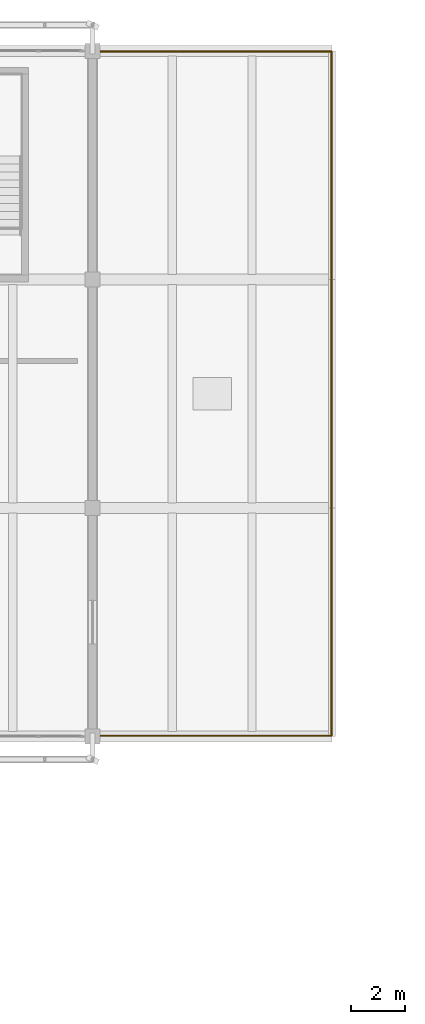
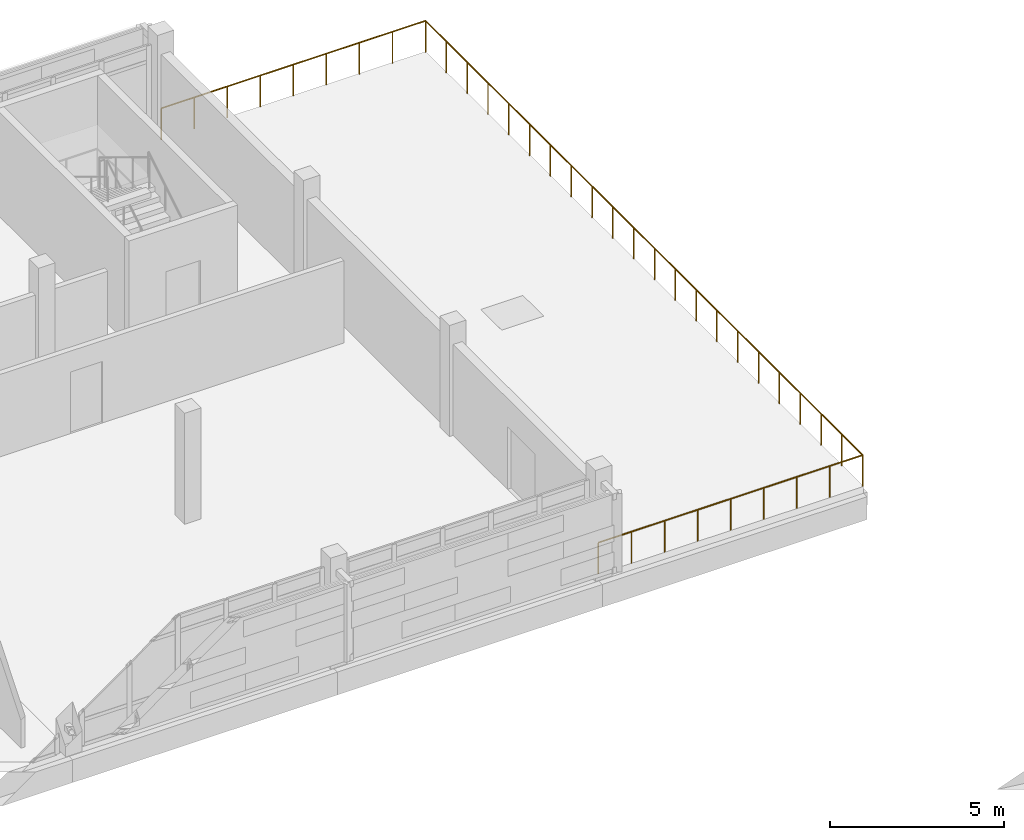
# One storey, part 117 of 117: 3 railings.
"""IFC4 building model written with IfcOpenShell, lengths in metres."""

from ifc_helpers import new_model, si_unit, direction, frame, origin, origin_2d, place, context, subcontext, project, spatial, circle, extrude, material, type_object, element, save


model = new_model("IFC4")

# Units and contexts
model_context = context("Model", 3, precision=1e-05, world=origin(), true_north=direction((0.0, 1.0)))
body_context = subcontext(model_context, "Body", "Model", "MODEL_VIEW")
ifc_project = project(units=[si_unit("LENGTHUNIT", "METRE"), si_unit("AREAUNIT", "SQUARE_METRE"), si_unit("VOLUMEUNIT", "CUBIC_METRE"), si_unit("PLANEANGLEUNIT", "RADIAN"), si_unit("MASSUNIT", "GRAM", prefix="KILO")], contexts=[model_context])

# Site, building, storey
site_placement = place(None, origin())
site = spatial("IfcSite", under=ifc_project, at=site_placement, CompositionType="ELEMENT")
building_placement = place(site_placement, origin())
building = spatial("IfcBuilding", under=site, at=building_placement, Name="Cinderway Yard Community Centre", CompositionType="ELEMENT")
storey_placement = place(building_placement, frame((0.0, 0.0, 9.0)))
storey = spatial("IfcBuildingStorey", under=building, at=storey_placement, Name="L02", CompositionType="ELEMENT", Elevation=9.0)

# Railings
ifc_material = material(Name="Painted Galvanised Steel", Category="steel")
railing_type = type_object("IfcRailingType", Name="INT-RAL-GRD112", PredefinedType="GUARDRAIL", material=ifc_material)
railing_1_placement = place(storey_placement, frame((136.800048828125, 90.02001953125, 0.0)))
element("IfcRailing", 1, at=railing_1_placement, inside=storey, type_object=railing_type, Name="V4 L02 East Terrace Guard 032", PredefinedType="GUARDRAIL", context=body_context, shape_type="SweptSolid", body=[
    extrude(circle(Radius=0.02392578125, at=origin_2d()), frame((0.0, 0.0, 1.09619140625), z_axis=(1.0, 0.0, 0.0), x_axis=(0.0, 1.0, 0.0)), (0.0, 0.0, 1.0), 8.780029296875),
    extrude(circle(Radius=0.02099609375, at=origin_2d()), origin(), (0.0, 0.0, 1.0), 1.072021484375),
    extrude(circle(Radius=0.02099609375, at=origin_2d()), frame((1.097412109375, 0.0, 0.0)), (0.0, 0.0, 1.0), 1.072021484375),
    extrude(circle(Radius=0.02099609375, at=origin_2d()), frame((2.195068359375, 0.0, 0.0)), (0.0, 0.0, 1.0), 1.072021484375),
    extrude(circle(Radius=0.02099609375, at=origin_2d()), frame((3.29248046875, 0.0, 0.0)), (0.0, 0.0, 1.0), 1.072021484375),
    extrude(circle(Radius=0.02099609375, at=origin_2d()), frame((4.39013671875, 0.0, 0.0)), (0.0, 0.0, 1.0), 1.072021484375),
    extrude(circle(Radius=0.02099609375, at=origin_2d()), frame((5.487548828125, 0.0, 0.0)), (0.0, 0.0, 1.0), 1.072021484375),
    extrude(circle(Radius=0.02099609375, at=origin_2d()), frame((6.5849609375, 0.0, 0.0)), (0.0, 0.0, 1.0), 1.072021484375),
    extrude(circle(Radius=0.02099609375, at=origin_2d()), frame((7.6826171875, 0.0, 0.0)), (0.0, 0.0, 1.0), 1.072021484375),
    extrude(circle(Radius=0.02099609375, at=origin_2d()), frame((8.780029296875, 0.0, 0.0)), (0.0, 0.0, 1.0), 1.072021484375),
])
railing_2_placement = place(storey_placement, frame((145.580078125, 90.02001953125, 0.0)))
element("IfcRailing", 2, at=railing_2_placement, inside=storey, type_object=railing_type, Name="V4 L02 East Terrace Guard 033", PredefinedType="GUARDRAIL", context=body_context, shape_type="SweptSolid", body=[
    extrude(circle(Radius=0.02392578125, at=origin_2d()), frame((0.0, 0.0, 1.09619140625), z_axis=(0.0, 1.0, 0.0), x_axis=(-1.0, 0.0, 0.0)), (0.0, 0.0, 1.0), 25.159912109375),
    extrude(circle(Radius=0.02099609375, at=origin_2d()), origin(), (0.0, 0.0, 1.0), 1.072021484375),
    extrude(circle(Radius=0.02099609375, at=origin_2d()), frame((0.0, 1.197998046875, 0.0)), (0.0, 0.0, 1.0), 1.072021484375),
    extrude(circle(Radius=0.02099609375, at=origin_2d()), frame((0.0, 2.396240234375, 0.0)), (0.0, 0.0, 1.0), 1.072021484375),
    extrude(circle(Radius=0.02099609375, at=origin_2d()), frame((0.0, 3.59423828125, 0.0)), (0.0, 0.0, 1.0), 1.072021484375),
    extrude(circle(Radius=0.02099609375, at=origin_2d()), frame((0.0, 4.79248046875, 0.0)), (0.0, 0.0, 1.0), 1.072021484375),
    extrude(circle(Radius=0.02099609375, at=origin_2d()), frame((0.0, 5.990478515625, 0.0)), (0.0, 0.0, 1.0), 1.072021484375),
    extrude(circle(Radius=0.02099609375, at=origin_2d()), frame((0.0, 7.1884765625, 0.0)), (0.0, 0.0, 1.0), 1.072021484375),
    extrude(circle(Radius=0.02099609375, at=origin_2d()), frame((0.0, 8.38671875, 0.0)), (0.0, 0.0, 1.0), 1.072021484375),
    extrude(circle(Radius=0.02099609375, at=origin_2d()), frame((0.0, 9.584716796875, 0.0)), (0.0, 0.0, 1.0), 1.072021484375),
    extrude(circle(Radius=0.02099609375, at=origin_2d()), frame((0.0, 10.78271484375, 0.0)), (0.0, 0.0, 1.0), 1.072021484375),
    extrude(circle(Radius=0.02099609375, at=origin_2d()), frame((0.0, 11.98095703125, 0.0)), (0.0, 0.0, 1.0), 1.072021484375),
    extrude(circle(Radius=0.02099609375, at=origin_2d()), frame((0.0, 13.178955078125, 0.0)), (0.0, 0.0, 1.0), 1.072021484375),
    extrude(circle(Radius=0.02099609375, at=origin_2d()), frame((0.0, 14.377197265625, 0.0)), (0.0, 0.0, 1.0), 1.072021484375),
    extrude(circle(Radius=0.02099609375, at=origin_2d()), frame((0.0, 15.5751953125, 0.0)), (0.0, 0.0, 1.0), 1.072021484375),
    extrude(circle(Radius=0.02099609375, at=origin_2d()), frame((0.0, 16.773193359375, 0.0)), (0.0, 0.0, 1.0), 1.072021484375),
    extrude(circle(Radius=0.02099609375, at=origin_2d()), frame((0.0, 17.971435546875, 0.0)), (0.0, 0.0, 1.0), 1.072021484375),
    extrude(circle(Radius=0.02099609375, at=origin_2d()), frame((0.0, 19.16943359375, 0.0)), (0.0, 0.0, 1.0), 1.072021484375),
    extrude(circle(Radius=0.02099609375, at=origin_2d()), frame((0.0, 20.367431640625, 0.0)), (0.0, 0.0, 1.0), 1.072021484375),
    extrude(circle(Radius=0.02099609375, at=origin_2d()), frame((0.0, 21.565673828125, 0.0)), (0.0, 0.0, 1.0), 1.072021484375),
    extrude(circle(Radius=0.02099609375, at=origin_2d()), frame((0.0, 22.763671875, 0.0)), (0.0, 0.0, 1.0), 1.072021484375),
    extrude(circle(Radius=0.02099609375, at=origin_2d()), frame((0.0, 23.9619140625, 0.0)), (0.0, 0.0, 1.0), 1.072021484375),
    extrude(circle(Radius=0.02099609375, at=origin_2d()), frame((0.0, 25.159912109375, 0.0)), (0.0, 0.0, 1.0), 1.072021484375),
])
railing_3_placement = place(storey_placement, frame((145.580078125, 115.179931640625, 0.0)))
element("IfcRailing", 3, at=railing_3_placement, inside=storey, type_object=railing_type, Name="V4 L02 East Terrace Guard 034", PredefinedType="GUARDRAIL", context=body_context, shape_type="SweptSolid", body=[
    extrude(circle(Radius=0.02392578125, at=origin_2d()), frame((0.0, 0.0, 1.09619140625), z_axis=(-1.0, 0.0, 0.0), x_axis=(0.0, -1.0, 0.0)), (0.0, 0.0, 1.0), 8.780029296875),
    extrude(circle(Radius=0.02099609375, at=origin_2d()), origin(), (0.0, 0.0, 1.0), 1.072021484375),
    extrude(circle(Radius=0.02099609375, at=origin_2d()), frame((-1.097412109375, 0.0, 0.0)), (0.0, 0.0, 1.0), 1.072021484375),
    extrude(circle(Radius=0.02099609375, at=origin_2d()), frame((-2.195068359375, 0.0, 0.0)), (0.0, 0.0, 1.0), 1.072021484375),
    extrude(circle(Radius=0.02099609375, at=origin_2d()), frame((-3.29248046875, 0.0, 0.0)), (0.0, 0.0, 1.0), 1.072021484375),
    extrude(circle(Radius=0.02099609375, at=origin_2d()), frame((-4.39013671875, 0.0, 0.0)), (0.0, 0.0, 1.0), 1.072021484375),
    extrude(circle(Radius=0.02099609375, at=origin_2d()), frame((-5.487548828125, 0.0, 0.0)), (0.0, 0.0, 1.0), 1.072021484375),
    extrude(circle(Radius=0.02099609375, at=origin_2d()), frame((-6.5849609375, 0.0, 0.0)), (0.0, 0.0, 1.0), 1.072021484375),
    extrude(circle(Radius=0.02099609375, at=origin_2d()), frame((-7.6826171875, 0.0, 0.0)), (0.0, 0.0, 1.0), 1.072021484375),
    extrude(circle(Radius=0.02099609375, at=origin_2d()), frame((-8.780029296875, 0.0, 0.0)), (0.0, 0.0, 1.0), 1.072021484375),
])

save(model, "model.ifc")
